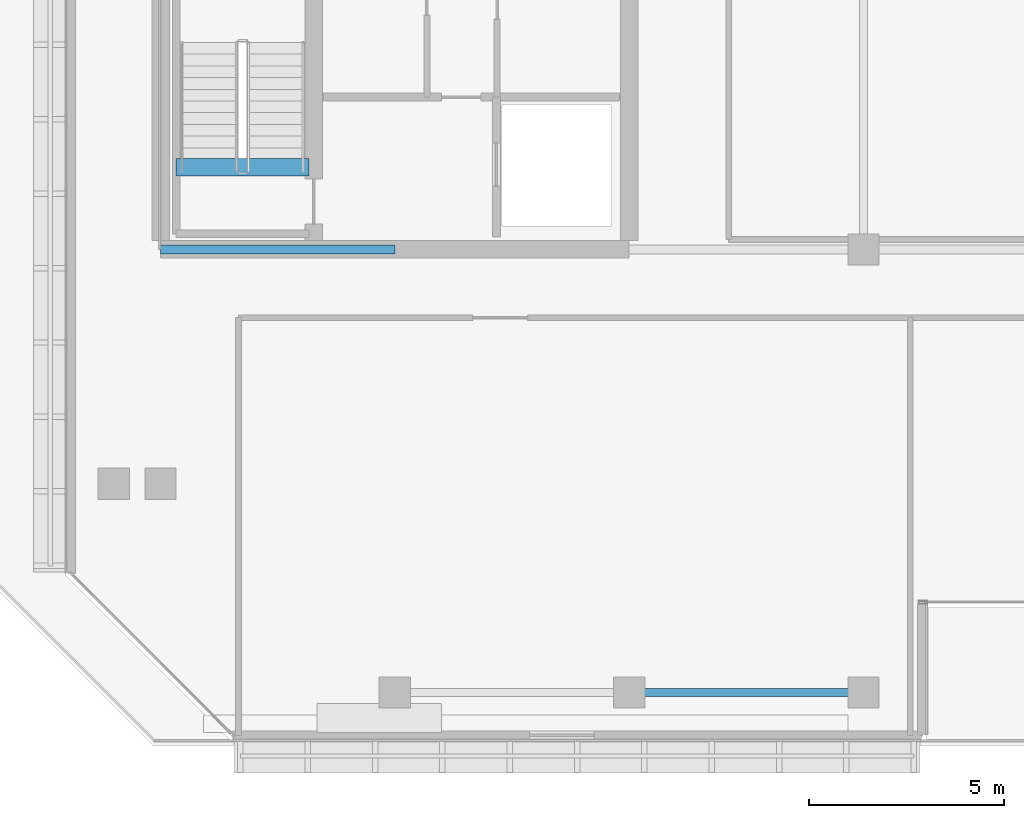
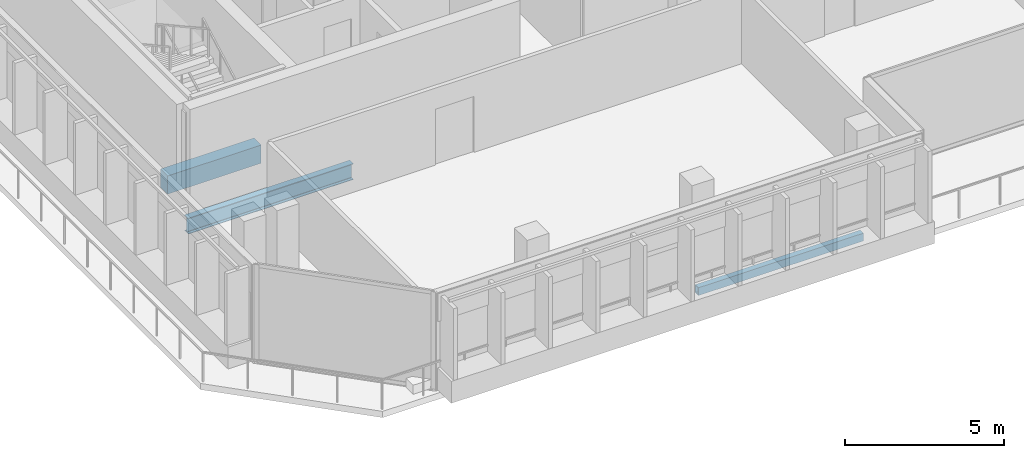
# One storey, part 3 of 26: 3 beams.
"""IFC4 building model written with IfcOpenShell, lengths in metres."""

import ifcopenshell
import ifcopenshell.guid

model = None  # the IFC model being written
_history = None  # IfcOwnerHistory: only IFC2X3 demands one
_inside = {}  # id of a spatial element -> (the spatial element, [elements in it])
_under = {}  # id of a project, library or spatial element -> (it, [spatial elements below it])
_declared = {}  # id of a project -> (the project, [libraries it declares])
_typed = {}  # id of a type object -> (the type object, [elements of that type])
_made_of = {}  # id of a material, layer set ... -> (it, [elements and type objects made of it])


def new_model(schema):
    """Start an empty IFC model of exactly this schema.

    Asked for "IFC4X3", IfcOpenShell would pick the latest addendum, in which some entities
    have other attributes; the version numbers below select the first issue.
    IFC2X3 requires an IfcOwnerHistory on every rooted entity: one is made here for all.
    """
    global model, _history
    if schema == "IFC4X3":
        model = ifcopenshell.file(schema_version=(4, 3, 0, 0))
    else:
        model = ifcopenshell.file(schema=schema)
    _inside.clear()
    _under.clear()
    _declared.clear()
    _typed.clear()
    _made_of.clear()
    _history = None
    if model.schema == "IFC2X3":
        org = make("IfcOrganization", Name="unknown")
        user = make(
            "IfcPersonAndOrganization",
            ThePerson=make("IfcPerson", FamilyName="unknown"),
            TheOrganization=org,
        )
        app = make(
            "IfcApplication",
            ApplicationDeveloper=org,
            Version="unknown",
            ApplicationFullName="unknown",
            ApplicationIdentifier="unknown",
        )
        _history = make(
            "IfcOwnerHistory",
            OwningUser=user,
            OwningApplication=app,
            ChangeAction="ADDED",
            CreationDate=0,
        )
    return model


def make(cls, **values):
    """One entity of the class cls with the attributes given. An attribute that is None is left unset."""
    return model.create_entity(
        cls, **{name: value for name, value in values.items() if value is not None}
    )


def rooted(cls, **values):
    """An entity with a GlobalId (a new one), such as an element, a storey or a relation."""
    return make(cls, GlobalId=ifcopenshell.guid.new(), OwnerHistory=_history, **values)


def si_unit(unit_type, name, prefix=None):
    """IfcSIUnit, for example si_unit("LENGTHUNIT", "METRE", prefix="MILLI")."""
    return make("IfcSIUnit", UnitType=unit_type, Prefix=prefix, Name=name)


def assignment(units):
    """IfcUnitAssignment: the units of a project."""
    return None if units is None else make("IfcUnitAssignment", Units=units)


def point(xyz):
    """IfcCartesianPoint."""
    return None if xyz is None else make("IfcCartesianPoint", Coordinates=xyz)


def direction(xyz):
    """IfcDirection."""
    return None if xyz is None else make("IfcDirection", DirectionRatios=xyz)


def frame(location, z_axis=None, x_axis=None):
    """IfcAxis2Placement3D, a coordinate frame: its origin and axes. An axis left out is left unset."""
    return make(
        "IfcAxis2Placement3D",
        Location=point(location),
        Axis=direction(z_axis),
        RefDirection=direction(x_axis),
    )


def frame_2d(location, x_axis=None):
    """IfcAxis2Placement2D, a coordinate frame in the plane: its origin and x axis."""
    return make(
        "IfcAxis2Placement2D", Location=point(location), RefDirection=direction(x_axis)
    )


def origin():
    """The frame at (0, 0, 0) with its axes left unset."""
    return frame((0.0, 0.0, 0.0))


def origin_2d():
    """The frame at (0, 0) in the plane with its x axis left unset."""
    return frame_2d((0.0, 0.0))


def place(relative_to, where):
    """IfcLocalPlacement: puts the frame where relative to a parent placement (None: the world)."""
    return make(
        "IfcLocalPlacement", PlacementRelTo=relative_to, RelativePlacement=where
    )


def context(
    kind, dimensions, precision=None, world=None, true_north=None, identifier=None
):
    """IfcGeometricRepresentationContext, for example the 3D "Model" context."""
    return make(
        "IfcGeometricRepresentationContext",
        ContextIdentifier=identifier,
        ContextType=kind,
        CoordinateSpaceDimension=dimensions,
        Precision=precision,
        WorldCoordinateSystem=world,
        TrueNorth=true_north,
    )


def subcontext(parent, identifier, kind, view, scale=None):
    """IfcGeometricRepresentationSubContext, for example "Body" below "Model"."""
    return make(
        "IfcGeometricRepresentationSubContext",
        ContextIdentifier=identifier,
        ContextType=kind,
        ParentContext=parent,
        TargetScale=scale,
        TargetView=view,
    )


def project(units=None, contexts=None):
    """IfcProject with its units and contexts."""
    return rooted(
        "IfcProject",
        Name="project",
        RepresentationContexts=contexts,
        UnitsInContext=assignment(units),
    )


def spatial(cls, under=None, at=None, **own):
    """A site, building, storey or space (cls), placed at a placement, below another one or the project."""
    s = rooted(cls, ObjectPlacement=at, **own)
    if under is not None:
        _under.setdefault(under.id(), (under, []))[1].append(s)
    return s


def profile(cls, at=None, kind="AREA", **sizes):
    """A parametric profile (cls). Its sizes go by their IFC names, for example OverallWidth=200.0."""
    return make(cls, ProfileType=kind, Position=at, **sizes)


def rectangle(**sizes):
    """IfcRectangleProfileDef."""
    return profile("IfcRectangleProfileDef", **sizes)


def hollow_rectangle(**sizes):
    """IfcRectangleHollowProfileDef."""
    return profile("IfcRectangleHollowProfileDef", **sizes)


def i_section(**sizes):
    """IfcIShapeProfileDef."""
    return profile("IfcIShapeProfileDef", **sizes)


def extrude(swept, where, along, depth):
    """IfcExtrudedAreaSolid: the profile swept, set in the frame where, extruded along a direction by depth."""
    return make(
        "IfcExtrudedAreaSolid",
        SweptArea=swept,
        Position=where,
        ExtrudedDirection=direction(along),
        Depth=depth,
    )


def shape(context_of_items, identifier, shape_type, items):
    """IfcShapeRepresentation: the items that make up one representation, for example the "Body"."""
    return make(
        "IfcShapeRepresentation",
        ContextOfItems=context_of_items,
        RepresentationIdentifier=identifier,
        RepresentationType=shape_type,
        Items=items,
    )


def material(Name=None, Category=None):
    """IfcMaterial."""
    return make("IfcMaterial", Name=Name, Category=Category)


def material_profile(
    of_material, cross_section, Name=None, Category=None, Priority=None
):
    """IfcMaterialProfile: a cross section and its material."""
    return make(
        "IfcMaterialProfile",
        Name=Name,
        Material=of_material,
        Profile=cross_section,
        Priority=Priority,
        Category=Category,
    )


def profile_set(profiles, Name=None, composite=None):
    """IfcMaterialProfileSet."""
    return make(
        "IfcMaterialProfileSet",
        Name=Name,
        MaterialProfiles=profiles,
        CompositeProfile=composite,
    )


def made_of(thing, what):
    """Note that an element or type object is made of a material, layer set ...; save() writes the relation."""
    if what is not None:
        _made_of.setdefault(what.id(), (what, []))[1].append(thing)
    return thing


def type_object(cls, material=None, **own):
    """A type object (cls), such as IfcWallType, which elements share."""
    return made_of(rooted(cls, **own), material)


def element(
    cls,
    number,
    at=None,
    inside=None,
    cuts=None,
    type_object=None,
    material=None,
    context=None,
    identifier="Body",
    shape_type=None,
    held_by="IfcProductDefinitionShape",
    body=None,
    shapes=None,
    **own,
):
    """One element of the class cls, such as IfcWall. Its Tag is "e" and its number.

    at: its placement. inside: the storey or other place that contains it. cuts: it is an
    opening in that element (IfcRelVoidsElement). A single representation is given by context,
    identifier, shape_type and body (its items); several are given by shapes. held_by: the class
    of the entity that holds the representations. save() writes the other relations.
    """
    e = rooted(cls, Tag="e%d" % number, ObjectPlacement=at, **own)
    if body is not None:
        shapes = [shape(context, identifier, shape_type, body)]
    if shapes is not None:
        e.Representation = make(held_by, Representations=shapes)
    if inside is not None:
        _inside.setdefault(inside.id(), (inside, []))[1].append(e)
    if cuts is not None:
        rooted(
            "IfcRelVoidsElement", RelatingBuildingElement=cuts, RelatedOpeningElement=e
        )
    if type_object is not None:
        _typed.setdefault(type_object.id(), (type_object, []))[1].append(e)
    return made_of(e, material)


def aggregate(whole, parts):
    """IfcRelAggregates: a whole, such as a stair, and the parts it consists of."""
    return rooted("IfcRelAggregates", RelatingObject=whole, RelatedObjects=parts)


def save(model, path):
    """Write the relations noted so far, then the file.

    IfcRelAggregates (storeys below a building ...), IfcRelContainedInSpatialStructure (elements
    in a storey), IfcRelDefinesByType, IfcRelAssociatesMaterial and IfcRelDeclares: one each for
    every whole, place, type object, material and project.
    """
    for whole, parts in _under.values():
        aggregate(whole, parts)
    for where, things in _inside.values():
        rooted(
            "IfcRelContainedInSpatialStructure",
            RelatedElements=things,
            RelatingStructure=where,
        )
    for kind, things in _typed.values():
        rooted("IfcRelDefinesByType", RelatedObjects=things, RelatingType=kind)
    for what, things in _made_of.values():
        rooted("IfcRelAssociatesMaterial", RelatedObjects=things, RelatingMaterial=what)
    for by, libraries in _declared.values():
        rooted("IfcRelDeclares", RelatingContext=by, RelatedDefinitions=libraries)
    model.write(path)


model = new_model("IFC4")

# Units and contexts
model_context = context("Model", 3, precision=1e-05, world=origin(), true_north=direction((0.0, 1.0)))
body_context = subcontext(model_context, "Body", "Model", "MODEL_VIEW")
ifc_project = project(units=[si_unit("LENGTHUNIT", "METRE"), si_unit("AREAUNIT", "SQUARE_METRE"), si_unit("VOLUMEUNIT", "CUBIC_METRE"), si_unit("PLANEANGLEUNIT", "RADIAN"), si_unit("MASSUNIT", "GRAM", prefix="KILO")], contexts=[model_context])

# Site, building, storey
site_placement = place(None, origin())
site = spatial("IfcSite", under=ifc_project, at=site_placement, CompositionType="ELEMENT")
building_placement = place(site_placement, origin())
building = spatial("IfcBuilding", under=site, at=building_placement, Name="Tanjung Sevakor Pilgrim Tower", CompositionType="ELEMENT")
storey_placement = place(building_placement, frame((0.0, 0.0, 177.8701171875)))
storey = spatial("IfcBuildingStorey", under=building, at=storey_placement, Name="L49", CompositionType="ELEMENT", Elevation=177.8701171875)

# Beams
ifc_material_1 = material(Name="Steel S355J2", Category="steel")
ifc_material_profile_1 = material_profile(ifc_material_1, i_section(OverallWidth=0.22900390625, OverallDepth=0.6123046875, WebThickness=0.011962890625, FlangeThickness=0.01953125, FilletRadius=0.0126953125, at=origin_2d()))
ifc_profile_set_1 = profile_set([ifc_material_profile_1], Name="Steel S355J2")
beam_type_1 = type_object("IfcBeamType", Name="BM-B-G4-UB_610x229x125", PredefinedType="BEAM", material=ifc_profile_set_1)
beam_1_placement = place(storey_placement, frame((24.0, 24.60009765625, -0.586181640625), z_axis=(1.0, 0.0, 0.0), x_axis=(0.0, 1.0, 0.0)))
element("IfcBeam", 1, at=beam_1_placement, inside=storey, type_object=beam_type_1, Name="L49 Primary Floor Girder MAIN Y246-01", PredefinedType="BEAM", context=body_context, shape_type="SweptSolid", body=[
    extrude(i_section(OverallWidth=0.22900390625, OverallDepth=0.6123046875, WebThickness=0.011962890625, FlangeThickness=0.01953125, FilletRadius=0.0126953125, at=origin_2d()), origin(), (0.0, 0.0, 1.0), 6.0),
])
ifc_material_2 = material(Name="Concrete C60/75", Category="concrete")
ifc_material_profile_2 = material_profile(ifc_material_2, rectangle(XDim=0.449951171875, YDim=0.699951171875, at=origin_2d()))
ifc_profile_set_2 = profile_set([ifc_material_profile_2], Name="Concrete C60/75")
beam_type_2 = type_object("IfcBeamType", Name="BM-B-LN3-RC-BM_450x700", PredefinedType="LINTEL", material=ifc_profile_set_2)
beam_2_placement = place(storey_placement, frame((24.39990234375, 26.699951171875, -0.35009765625), z_axis=(1.0, 0.0, 0.0), x_axis=(0.0, 1.0, 0.0)))
element("IfcBeam", 2, at=beam_2_placement, inside=storey, type_object=beam_type_2, Name="L49 TS-W1 Stair Threshold Beam", PredefinedType="LINTEL", context=body_context, shape_type="SweptSolid", body=[
    extrude(rectangle(XDim=0.449951171875, YDim=0.699951171875, at=origin_2d()), origin(), (0.0, 0.0, 1.0), 3.400146484375),
])
ifc_material_3 = material(Name="Steel S355J2", Category="steel")
ifc_material_profile_3 = material_profile(ifc_material_3, hollow_rectangle(XDim=0.199951171875, YDim=0.300048828125, WallThickness=0.012451171875, at=origin_2d()))
ifc_profile_set_3 = profile_set([ifc_material_profile_3], Name="Steel S355J2")
beam_type_3 = type_object("IfcBeamType", Name="BM-B-SP3-RHS_300x200x12.5", PredefinedType="SPANDREL", material=ifc_profile_set_3)
beam_3_placement = place(storey_placement, frame((36.0, 13.25, -0.43017578125), z_axis=(1.0, 0.0, 0.0), x_axis=(0.0, 1.0, 0.0)))
element("IfcBeam", 3, at=beam_3_placement, inside=storey, type_object=beam_type_3, Name="L49 Spandrel MAIN S-03", PredefinedType="SPANDREL", context=body_context, shape_type="SweptSolid", body=[
    extrude(hollow_rectangle(XDim=0.199951171875, YDim=0.300048828125, WallThickness=0.012451171875, at=origin_2d()), origin(), (0.0, 0.0, 1.0), 6.0),
])

save(model, "model.ifc")
